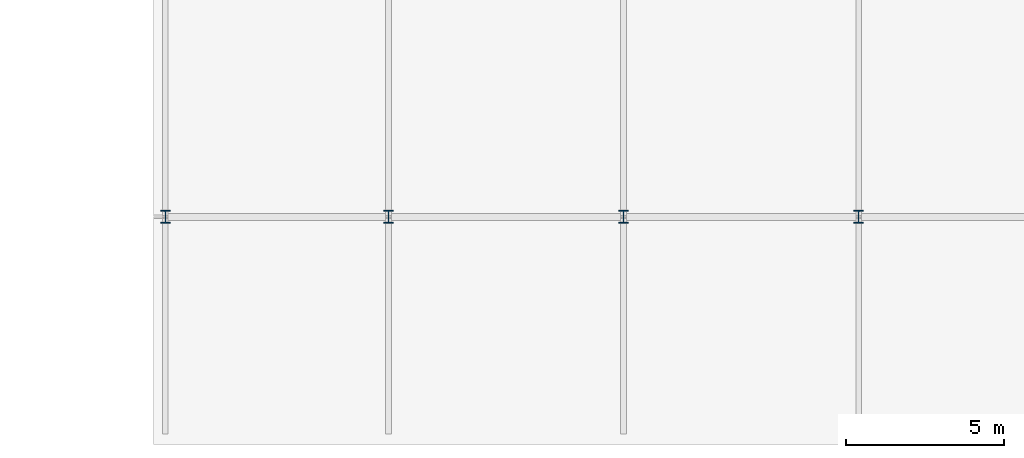
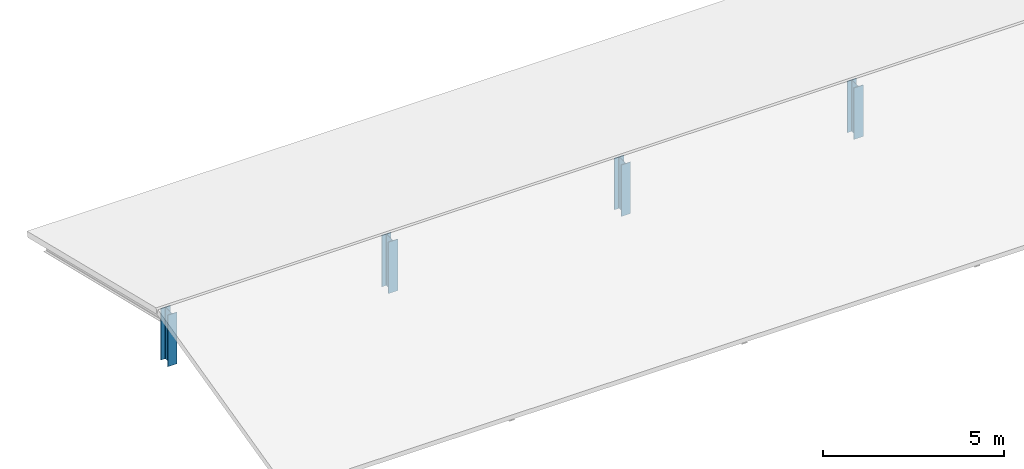
# One storey, part 2 of 34: 4 columns.
"""IFC4 building model written with IfcOpenShell, lengths in metres."""

from ifc_helpers import new_model, si_unit, direction, frame, origin, origin_2d, place, context, subcontext, project, spatial, i_section, extrude, material, material_profile, profile_set, type_object, element, save


model = new_model("IFC4")

# Units and contexts
model_context = context("Model", 3, precision=1e-05, world=origin(), true_north=direction((0.0, 1.0)))
body_context = subcontext(model_context, "Body", "Model", "MODEL_VIEW")
ifc_project = project(units=[si_unit("LENGTHUNIT", "METRE"), si_unit("AREAUNIT", "SQUARE_METRE"), si_unit("VOLUMEUNIT", "CUBIC_METRE"), si_unit("PLANEANGLEUNIT", "RADIAN"), si_unit("MASSUNIT", "GRAM", prefix="KILO")], contexts=[model_context])

# Site, building, storey
site_placement = place(None, origin())
site = spatial("IfcSite", under=ifc_project, at=site_placement, CompositionType="ELEMENT")
building_placement = place(site_placement, origin())
building = spatial("IfcBuilding", under=site, at=building_placement, Name="Vardoun Plaza Health Centre", CompositionType="ELEMENT")
storey_placement = place(building_placement, frame((0.0, 0.0, 12.89990234375)))
storey = spatial("IfcBuildingStorey", under=building, at=storey_placement, Name="L03", CompositionType="ELEMENT", Elevation=12.89990234375)

# Columns
ifc_material = material(Name="Steel S355J2", Category="steel")
ifc_material_profile = material_profile(ifc_material, i_section(OverallWidth=0.300048828125, OverallDepth=0.39990234375, WebThickness=0.013427734375, FlangeThickness=0.02392578125, FilletRadius=0.027099609375, at=origin_2d()), Name="HEB 400")
ifc_profile_set = profile_set([ifc_material_profile], Name="Steel S355J2")
column_type = type_object("IfcColumnType", Name="C-17", PredefinedType="COLUMN", material=ifc_profile_set)
for number, where, z_axis, x_axis, name in (
    (1, (106.0400390625, 11.699951171875, -0.179931640625), (0.0, 0.0, 1.0), (1.0, 0.0, 0.0), "V5 Folded-Roof Ridge Post 1"),
    (2, (113.10009765625, 11.699951171875, -0.179931640625), (0.0, 0.0, 1.0), (1.0, 0.0, 0.0), "V5 Folded-Roof Ridge Post 2"),
    (3, (120.5400390625, 11.699951171875, -0.179931640625), (0.0, 0.0, 1.0), (1.0, 0.0, 0.0), "V5 Folded-Roof Ridge Post 3"),
    (4, (127.97998046875, 11.699951171875, -0.179931640625), (0.0, 0.0, 1.0), (1.0, 0.0, 0.0), "V5 Folded-Roof Ridge Post 4"),
):
    element("IfcColumn", number, at=place(storey_placement, frame(where, z_axis=z_axis, x_axis=x_axis)), inside=storey, type_object=column_type, Name=name, PredefinedType="COLUMN", context=body_context, shape_type="SweptSolid", body=[
        extrude(i_section(OverallWidth=0.300048828125, OverallDepth=0.39990234375, WebThickness=0.013427734375, FlangeThickness=0.02392578125, FilletRadius=0.027099609375, at=origin_2d()), origin(), (0.0, 0.0, 1.0), 1.739990234375),
    ])

save(model, "model.ifc")
